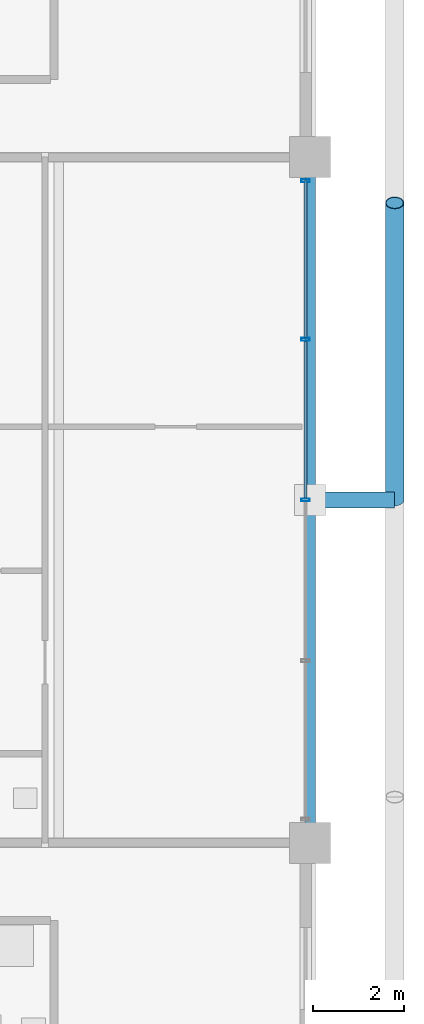
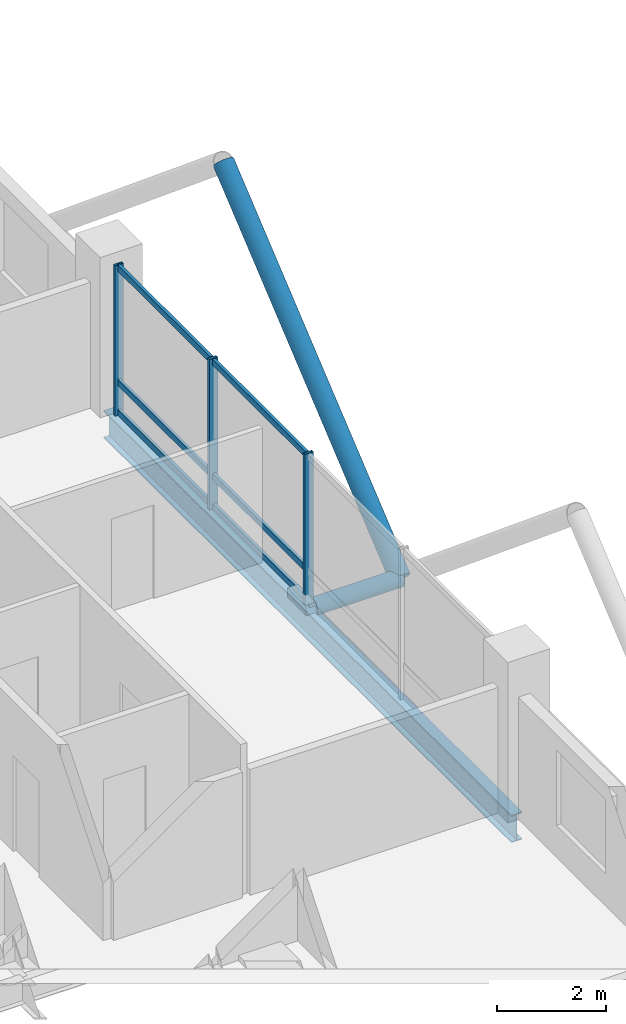
# One storey, part 13 of 24: 11 members, 1 beam, 1 element without a shape of its own.
"""IFC4 building model written with IfcOpenShell, lengths in metres."""

from ifc_helpers import new_model, si_unit, direction, frame, origin, origin_2d, place, context, subcontext, project, spatial, hollow_rectangle, hollow_circle, i_section, extrude, material, layer, layer_set, material_profile, profile_set, type_object, element, aggregate, save


model = new_model("IFC4")

# Units and contexts
model_context = context("Model", 3, precision=1e-05, world=origin(), true_north=direction((0.0, 1.0)))
body_context = subcontext(model_context, "Body", "Model", "MODEL_VIEW")
ifc_project = project(units=[si_unit("LENGTHUNIT", "METRE"), si_unit("AREAUNIT", "SQUARE_METRE"), si_unit("VOLUMEUNIT", "CUBIC_METRE"), si_unit("PLANEANGLEUNIT", "RADIAN"), si_unit("MASSUNIT", "GRAM", prefix="KILO")], contexts=[model_context])

# Site, building, storey
site_placement = place(None, origin())
site = spatial("IfcSite", under=ifc_project, at=site_placement, CompositionType="ELEMENT")
building_placement = place(site_placement, origin())
building = spatial("IfcBuilding", under=site, at=building_placement, Name="Barlavira Tower and Art Museum", CompositionType="ELEMENT")
storey_placement = place(building_placement, frame((0.0, 0.0, 240.300048828125)))
storey = spatial("IfcBuildingStorey", under=building, at=storey_placement, Name="L62", CompositionType="ELEMENT", Elevation=240.300048828125)

# Curtain wall, members
ifc_material_1 = material(Name="Low-iron coastal laminated glass", Category="glass")
ifc_layer = layer(ifc_material_1, 0.2099609375, Name="Low-iron coastal laminated glass")
ifc_layer_set = layer_set([ifc_layer], Name="Low-iron coastal laminated glass")
curtain_wall_type = type_object("IfcCurtainWallType", Name="Pale-Metal Unitised Curtain Wall Zone 4", PredefinedType="NOTDEFINED", material=ifc_layer_set)
curtain_wall_placement = place(storey_placement, origin())
curtain_wall = element("IfcCurtainWall", 1, at=curtain_wall_placement, inside=storey, type_object=curtain_wall_type, Name="L62 Curtain Wall CW4-L62-E-B3", PredefinedType="NOTDEFINED")
ifc_material_2 = material(Name="Pale anodised aluminium", Category="aluminium")
ifc_material_profile_1 = material_profile(ifc_material_2, hollow_rectangle(XDim=0.06494140625, YDim=0.179931640625, WallThickness=0.00390625, at=origin_2d()), Name="ALU-MULL 65x180x4")
ifc_profile_set_1 = profile_set([ifc_material_profile_1], Name="Pale anodised aluminium")
member_type_1 = type_object("IfcMemberType", Name="Curtain Wall Pale-Metal Mullion 65x180", PredefinedType="MULLION", material=ifc_profile_set_1)
member_1_placement = place(storey_placement, frame((16.89990234375, 0.0, 0.0), z_axis=(0.0, 0.0, 1.0), x_axis=(0.0, 1.0, 0.0)))
member_1 = element("IfcMember", 2, at=member_1_placement, type_object=member_type_1, Name="CW4-L62-E-B3 Mullion 2", PredefinedType="MULLION", context=body_context, shape_type="SweptSolid", body=[
    extrude(hollow_rectangle(XDim=0.06494140625, YDim=0.179931640625, WallThickness=0.00390625, at=origin_2d()), origin(), (0.0, 0.0, 1.0), 3.3798828125),
])
member_2_placement = place(storey_placement, frame((16.89990234375, 3.514892578125, 0.0), z_axis=(0.0, 0.0, 1.0), x_axis=(0.0, 1.0, 0.0)))
member_2 = element("IfcMember", 3, at=member_2_placement, type_object=member_type_1, Name="CW4-L62-E-B3 Mullion 3", PredefinedType="MULLION", context=body_context, shape_type="SweptSolid", body=[
    extrude(hollow_rectangle(XDim=0.06494140625, YDim=0.179931640625, WallThickness=0.00390625, at=origin_2d()), origin(), (0.0, 0.0, 1.0), 3.3798828125),
])
member_3_placement = place(storey_placement, frame((16.89990234375, 6.985107421875, 0.0), z_axis=(0.0, 0.0, 1.0), x_axis=(0.0, 1.0, 0.0)))
member_3 = element("IfcMember", 4, at=member_3_placement, type_object=member_type_1, Name="CW4-L62-E-B3 Mullion 4", PredefinedType="MULLION", context=body_context, shape_type="SweptSolid", body=[
    extrude(hollow_rectangle(XDim=0.06494140625, YDim=0.179931640625, WallThickness=0.00390625, at=origin_2d()), origin(), (0.0, 0.0, 1.0), 3.3798828125),
])
ifc_material_profile_2 = material_profile(ifc_material_2, hollow_rectangle(XDim=0.06494140625, YDim=0.139892578125, WallThickness=0.00390625, at=origin_2d()), Name="ALU-TRAN 65x140x4")
ifc_profile_set_2 = profile_set([ifc_material_profile_2], Name="Pale anodised aluminium")
member_type_2 = type_object("IfcMemberType", Name="Curtain Wall Pale-Metal Transom 65x140", PredefinedType="USERDEFINED", material=ifc_profile_set_2)
member_4_placement = place(storey_placement, frame((16.89990234375, 0.044921875, 0.070068359375), z_axis=(0.0, 1.0, 0.0), x_axis=(-1.0, 0.0, 0.0)))
member_4 = element("IfcMember", 5, at=member_4_placement, type_object=member_type_2, Name="CW4-L62-E-B3 Transom 2.1", ObjectType="TRANSOM", PredefinedType="USERDEFINED", context=body_context, shape_type="SweptSolid", body=[
    extrude(hollow_rectangle(XDim=0.06494140625, YDim=0.139892578125, WallThickness=0.00390625, at=origin_2d()), origin(), (0.0, 0.0, 1.0), 3.425048828125),
])
member_5_placement = place(storey_placement, frame((16.89990234375, 0.044921875, 0.743896484375), z_axis=(0.0, 1.0, 0.0), x_axis=(-1.0, 0.0, 0.0)))
member_5 = element("IfcMember", 6, at=member_5_placement, type_object=member_type_2, Name="CW4-L62-E-B3 Transom 2.2", ObjectType="TRANSOM", PredefinedType="USERDEFINED", context=body_context, shape_type="SweptSolid", body=[
    extrude(hollow_rectangle(XDim=0.06494140625, YDim=0.139892578125, WallThickness=0.00390625, at=origin_2d()), origin(), (0.0, 0.0, 1.0), 3.425048828125),
])
member_6_placement = place(storey_placement, frame((16.89990234375, 0.044921875, 3.31005859375), z_axis=(0.0, 1.0, 0.0), x_axis=(-1.0, 0.0, 0.0)))
member_6 = element("IfcMember", 7, at=member_6_placement, type_object=member_type_2, Name="CW4-L62-E-B3 Transom 2.3", ObjectType="TRANSOM", PredefinedType="USERDEFINED", context=body_context, shape_type="SweptSolid", body=[
    extrude(hollow_rectangle(XDim=0.06494140625, YDim=0.139892578125, WallThickness=0.00390625, at=origin_2d()), origin(), (0.0, 0.0, 1.0), 3.425048828125),
])
member_7_placement = place(storey_placement, frame((16.89990234375, 3.56005859375, 0.070068359375), z_axis=(0.0, 1.0, 0.0), x_axis=(-1.0, 0.0, 0.0)))
member_7 = element("IfcMember", 8, at=member_7_placement, type_object=member_type_2, Name="CW4-L62-E-B3 Transom 3.1", ObjectType="TRANSOM", PredefinedType="USERDEFINED", context=body_context, shape_type="SweptSolid", body=[
    extrude(hollow_rectangle(XDim=0.06494140625, YDim=0.139892578125, WallThickness=0.00390625, at=origin_2d()), origin(), (0.0, 0.0, 1.0), 3.425048828125),
])
member_8_placement = place(storey_placement, frame((16.89990234375, 3.56005859375, 0.743896484375), z_axis=(0.0, 1.0, 0.0), x_axis=(-1.0, 0.0, 0.0)))
member_8 = element("IfcMember", 9, at=member_8_placement, type_object=member_type_2, Name="CW4-L62-E-B3 Transom 3.2", ObjectType="TRANSOM", PredefinedType="USERDEFINED", context=body_context, shape_type="SweptSolid", body=[
    extrude(hollow_rectangle(XDim=0.06494140625, YDim=0.139892578125, WallThickness=0.00390625, at=origin_2d()), origin(), (0.0, 0.0, 1.0), 3.425048828125),
])
member_9_placement = place(storey_placement, frame((16.89990234375, 3.56005859375, 3.31005859375), z_axis=(0.0, 1.0, 0.0), x_axis=(-1.0, 0.0, 0.0)))
member_9 = element("IfcMember", 10, at=member_9_placement, type_object=member_type_2, Name="CW4-L62-E-B3 Transom 3.3", ObjectType="TRANSOM", PredefinedType="USERDEFINED", context=body_context, shape_type="SweptSolid", body=[
    extrude(hollow_rectangle(XDim=0.06494140625, YDim=0.139892578125, WallThickness=0.00390625, at=origin_2d()), origin(), (0.0, 0.0, 1.0), 3.425048828125),
])
aggregate(curtain_wall, [member_1, member_2, member_3, member_4, member_5, member_6, member_7, member_8, member_9])

# Members
ifc_material_3 = material(Name="Steel S355", Category="steel")
ifc_material_profile_3 = material_profile(ifc_material_3, hollow_circle(Radius=0.203125, WallThickness=0.01611328125, at=origin_2d()), Name="CHS 406.4x16.0")
ifc_profile_set_3 = profile_set([ifc_material_profile_3], Name="Steel S355")
member_type_3 = type_object("IfcMemberType", Name="Pale-Metal Exoskeleton Diagrid Tube CHS 406x16 Steel S355", PredefinedType="BRACE", material=ifc_profile_set_3)
member_10_placement = place(storey_placement, frame((18.85009765625, 0.0, -0.1201171875), z_axis=(0.0, 0.76918185268, 0.639029950399), x_axis=(-1.0, 0.0, 0.0)))
element("IfcMember", 11, at=member_10_placement, inside=storey, type_object=member_type_3, Name="L62 Exoskeleton Diagrid Tube E", PredefinedType="BRACE", context=body_context, shape_type="SweptSolid", body=[
    extrude(hollow_circle(Radius=0.203125, WallThickness=0.01611328125, at=origin_2d()), origin(), (0.0, 0.0, 1.0), 8.450439453125),
])
ifc_material_profile_4 = material_profile(ifc_material_3, hollow_circle(Radius=0.177734375, WallThickness=0.01611328125, at=origin_2d()), Name="CHS 355.6x16.0")
ifc_profile_set_4 = profile_set([ifc_material_profile_4], Name="Steel S355")
member_type_4 = type_object("IfcMemberType", Name="Pale-Metal Exoskeleton Tie Strut CHS 356x16 Steel S355", PredefinedType="STRUT", material=ifc_profile_set_4)
member_11_placement = place(storey_placement, frame((18.85009765625, 0.0, -0.1201171875), z_axis=(-1.0, 0.0, 0.0), x_axis=(0.0, -1.0, 0.0)))
element("IfcMember", 12, at=member_11_placement, inside=storey, type_object=member_type_4, Name="L62 Exoskeleton Tie Strut E2", PredefinedType="STRUT", context=body_context, shape_type="SweptSolid", body=[
    extrude(hollow_circle(Radius=0.177734375, WallThickness=0.01611328125, at=origin_2d()), origin(), (0.0, 0.0, 1.0), 1.85009765625),
])

# Beam
ifc_material_profile_5 = material_profile(ifc_material_3, i_section(OverallWidth=0.22998046875, OverallDepth=0.616943359375, WebThickness=0.01318359375, FlangeThickness=0.022216796875, at=origin_2d()), Name="W610x140.0")
ifc_profile_set_5 = profile_set([ifc_material_profile_5], Name="Steel S355")
beam_type = type_object("IfcBeamType", Name="Upper Shaft Spandrel Edge Beam W610x140 Steel S355", PredefinedType="SPANDREL", material=ifc_profile_set_5)
beam_placement = place(storey_placement, frame((17.0, -7.5, -0.528564453125), z_axis=(0.0, 1.0, 0.0), x_axis=(-1.0, 0.0, 0.0)))
element("IfcBeam", 13, at=beam_placement, inside=storey, type_object=beam_type, Name="L62 Spandrel 6", PredefinedType="SPANDREL", context=body_context, shape_type="SweptSolid", body=[
    extrude(i_section(OverallWidth=0.22998046875, OverallDepth=0.616943359375, WebThickness=0.01318359375, FlangeThickness=0.022216796875, at=origin_2d()), origin(), (0.0, 0.0, 1.0), 15.0),
])

save(model, "model.ifc")
